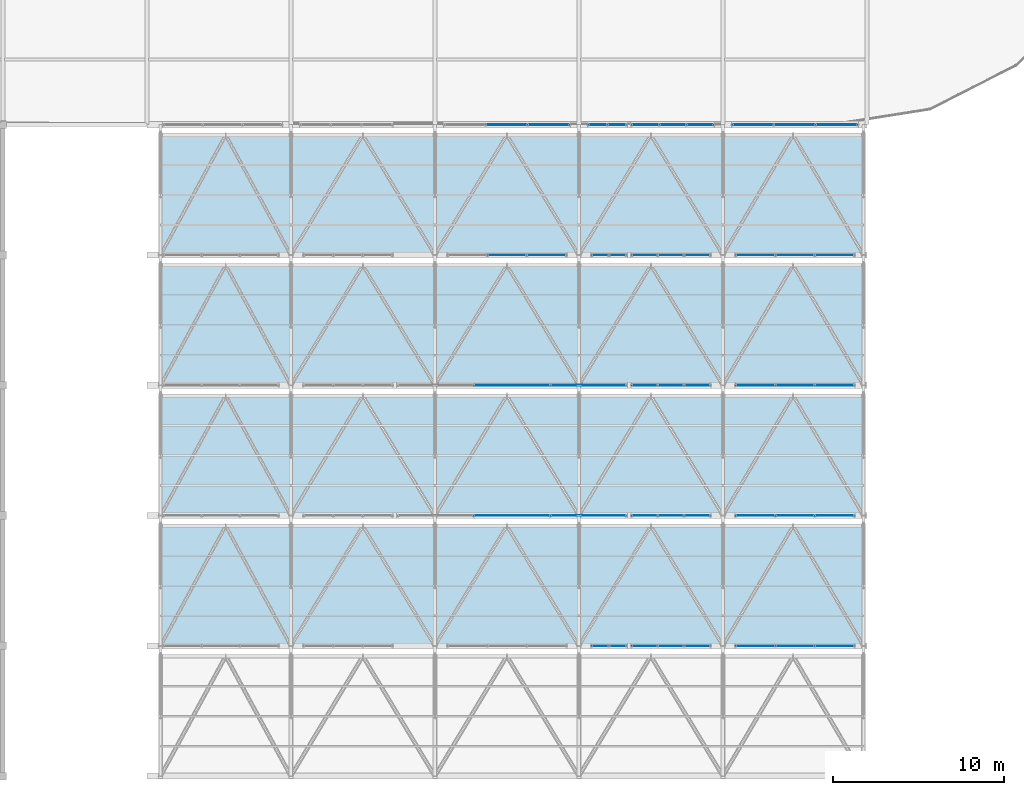
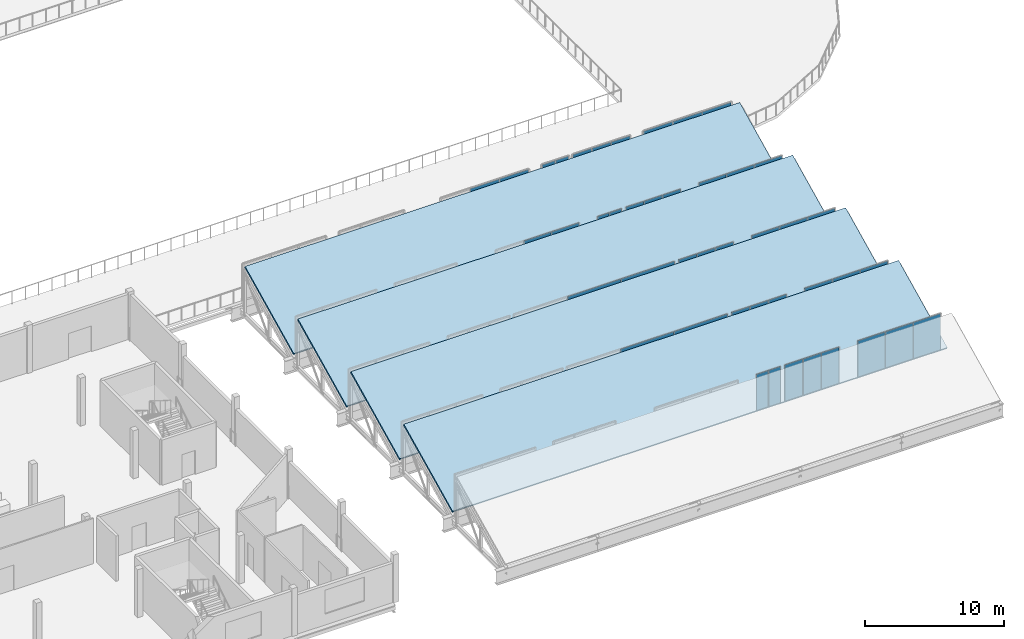
# One storey, part 41 of 57: 44 plates, 4 slabs, 17 elements without a shape of their own.
"""IFC4 building model written with IfcOpenShell, lengths in metres."""

from ifc_helpers import new_model, si_unit, direction, frame, origin, origin_2d, place, context, subcontext, project, spatial, polyline, rectangle, outline, extrude, material, layer, layer_set, type_object, element, aggregate, save


model = new_model("IFC4")

# Units and contexts
model_context = context("Model", 3, precision=1e-05, world=origin(), true_north=direction((0.0, 1.0)))
body_context = subcontext(model_context, "Body", "Model", "MODEL_VIEW")
ifc_project = project(units=[si_unit("LENGTHUNIT", "METRE"), si_unit("AREAUNIT", "SQUARE_METRE"), si_unit("VOLUMEUNIT", "CUBIC_METRE"), si_unit("PLANEANGLEUNIT", "RADIAN"), si_unit("MASSUNIT", "GRAM", prefix="KILO")], contexts=[model_context])

# Site, building, storey
site_placement = place(None, origin())
site = spatial("IfcSite", under=ifc_project, at=site_placement, CompositionType="ELEMENT")
building_placement = place(site_placement, origin())
building = spatial("IfcBuilding", under=site, at=building_placement, Name="Zuvorla Pavilion Media Centre", CompositionType="ELEMENT")
storey_placement = place(building_placement, frame((0.0, 0.0, 18.0)))
storey = spatial("IfcBuildingStorey", under=building, at=storey_placement, Name="L04", CompositionType="ELEMENT", Elevation=18.0)

# Curtain wall, plates
ifc_material_1 = material(Name="Unitised anodised aluminium and solar glass curtain wall", Category="aluminium")
curtain_wall_type_1 = type_object("IfcCurtainWallType", Name="CW-SYS-93", PredefinedType="USERDEFINED", material=ifc_material_1)
curtain_wall_1_placement = place(storey_placement, origin())
curtain_wall_1 = element("IfcCurtainWall", 1, at=curtain_wall_1_placement, inside=storey, type_object=curtain_wall_type_1, Name="L04 curtain wall CW93 227", ObjectType="CURTAIN WALL", PredefinedType="USERDEFINED")
ifc_material_2 = material(Name="Triple acoustic broadcast glazing", Category="glass")
ifc_layer_1 = layer(ifc_material_2, 0.0419921875)
ifc_layer_set_1 = layer_set([ifc_layer_1], Name="Triple acoustic broadcast glazing")
plate_type = type_object("IfcPlateType", Name="CW-PNL-42", PredefinedType="CURTAIN_PANEL", material=ifc_layer_set_1)
plate_1_placement = place(storey_placement, frame((143.651611328125, 13.60009765625, 0.0302734375), z_axis=(0.0, 0.0, 1.0), x_axis=(1.0, 0.0, 0.0)))
plate_1 = element("IfcPlate", 2, at=plate_1_placement, type_object=plate_type, Name="CW93 panel 1.1", PredefinedType="CURTAIN_PANEL", context=body_context, shape_type="SweptSolid", body=[
    extrude(rectangle(XDim=0.95458984375, YDim=0.0419921875, at=origin_2d()), origin(), (0.0, 0.0, 1.0), 3.159912109375),
])
plate_2_placement = place(storey_placement, frame((144.666015625, 13.60009765625, 0.0302734375), z_axis=(0.0, 0.0, 1.0), x_axis=(1.0, 0.0, 0.0)))
plate_2 = element("IfcPlate", 3, at=plate_2_placement, type_object=plate_type, Name="CW93 panel 2.1", PredefinedType="CURTAIN_PANEL", context=body_context, shape_type="SweptSolid", body=[
    extrude(rectangle(XDim=0.95458984375, YDim=0.0419921875, at=origin_2d()), origin(), (0.0, 0.0, 1.0), 3.159912109375),
])
aggregate(curtain_wall_1, [plate_1, plate_2])

curtain_wall_type_2 = type_object("IfcCurtainWallType", Name="CW-SYS-94", PredefinedType="USERDEFINED", material=ifc_material_1)
curtain_wall_2_placement = place(storey_placement, origin())
curtain_wall_2 = element("IfcCurtainWall", 4, at=curtain_wall_2_placement, inside=storey, type_object=curtain_wall_type_2, Name="L04 curtain wall CW94 228", ObjectType="CURTAIN WALL", PredefinedType="USERDEFINED")
plate_3_placement = place(storey_placement, frame((146.253662109375, 13.60009765625, 0.0302734375), z_axis=(0.0, 0.0, 1.0), x_axis=(1.0, 0.0, 0.0)))
plate_3 = element("IfcPlate", 5, at=plate_3_placement, type_object=plate_type, Name="CW94 panel 1.1", PredefinedType="CURTAIN_PANEL", context=body_context, shape_type="SweptSolid", body=[
    extrude(rectangle(XDim=1.460693359375, YDim=0.0419921875, at=origin_2d()), origin(), (0.0, 0.0, 1.0), 3.159912109375),
])
plate_4_placement = place(storey_placement, frame((147.7744140625, 13.60009765625, 0.0302734375), z_axis=(0.0, 0.0, 1.0), x_axis=(1.0, 0.0, 0.0)))
plate_4 = element("IfcPlate", 6, at=plate_4_placement, type_object=plate_type, Name="CW94 panel 2.1", PredefinedType="CURTAIN_PANEL", context=body_context, shape_type="SweptSolid", body=[
    extrude(rectangle(XDim=1.460693359375, YDim=0.0419921875, at=origin_2d()), origin(), (0.0, 0.0, 1.0), 3.159912109375),
])
plate_5_placement = place(storey_placement, frame((149.29541015625, 13.60009765625, 0.0302734375), z_axis=(0.0, 0.0, 1.0), x_axis=(1.0, 0.0, 0.0)))
plate_5 = element("IfcPlate", 7, at=plate_5_placement, type_object=plate_type, Name="CW94 panel 3.1", PredefinedType="CURTAIN_PANEL", context=body_context, shape_type="SweptSolid", body=[
    extrude(rectangle(XDim=1.460693359375, YDim=0.0419921875, at=origin_2d()), origin(), (0.0, 0.0, 1.0), 3.159912109375),
])
aggregate(curtain_wall_2, [plate_3, plate_4, plate_5])

curtain_wall_type_3 = type_object("IfcCurtainWallType", Name="CW-SYS-92", PredefinedType="USERDEFINED", material=ifc_material_1)
curtain_wall_3_placement = place(storey_placement, origin())
curtain_wall_3 = element("IfcCurtainWall", 8, at=curtain_wall_3_placement, inside=storey, type_object=curtain_wall_type_3, Name="L04 curtain wall CW92 229", ObjectType="CURTAIN WALL", PredefinedType="USERDEFINED")
plate_6_placement = place(storey_placement, frame((152.6962890625, 13.60009765625, 0.0302734375), z_axis=(0.0, 0.0, 1.0), x_axis=(1.0, 0.0, 0.0)))
plate_6 = element("IfcPlate", 9, at=plate_6_placement, type_object=plate_type, Name="CW92 panel 1.1", PredefinedType="CURTAIN_PANEL", context=body_context, shape_type="SweptSolid", body=[
    extrude(rectangle(XDim=2.243896484375, YDim=0.0419921875, at=origin_2d()), origin(), (0.0, 0.0, 1.0), 3.159912109375),
])
plate_7_placement = place(storey_placement, frame((155.0, 13.60009765625, 0.0302734375), z_axis=(0.0, 0.0, 1.0), x_axis=(1.0, 0.0, 0.0)))
plate_7 = element("IfcPlate", 10, at=plate_7_placement, type_object=plate_type, Name="CW92 panel 2.1", PredefinedType="CURTAIN_PANEL", context=body_context, shape_type="SweptSolid", body=[
    extrude(rectangle(XDim=2.243896484375, YDim=0.0419921875, at=origin_2d()), origin(), (0.0, 0.0, 1.0), 3.159912109375),
])
plate_8_placement = place(storey_placement, frame((157.3037109375, 13.60009765625, 0.0302734375), z_axis=(0.0, 0.0, 1.0), x_axis=(1.0, 0.0, 0.0)))
plate_8 = element("IfcPlate", 11, at=plate_8_placement, type_object=plate_type, Name="CW92 panel 3.1", PredefinedType="CURTAIN_PANEL", context=body_context, shape_type="SweptSolid", body=[
    extrude(rectangle(XDim=2.243896484375, YDim=0.0419921875, at=origin_2d()), origin(), (0.0, 0.0, 1.0), 3.159912109375),
])
aggregate(curtain_wall_3, [plate_6, plate_7, plate_8])

curtain_wall_type_4 = type_object("IfcCurtainWallType", Name="CW-SYS-95", PredefinedType="USERDEFINED", material=ifc_material_1)
curtain_wall_4_placement = place(storey_placement, origin())
curtain_wall_4 = element("IfcCurtainWall", 12, at=curtain_wall_4_placement, inside=storey, type_object=curtain_wall_type_4, Name="L04 curtain wall CW95 232", ObjectType="CURTAIN WALL", PredefinedType="USERDEFINED")
plate_9_placement = place(storey_placement, frame((138.5, 21.199951171875, 0.0302734375), z_axis=(0.0, 0.0, 1.0), x_axis=(1.0, 0.0, 0.0)))
plate_9 = element("IfcPlate", 13, at=plate_9_placement, type_object=plate_type, Name="CW95 panel 2.1", PredefinedType="CURTAIN_PANEL", context=body_context, shape_type="SweptSolid", body=[
    extrude(rectangle(XDim=4.388916015625, YDim=0.0419921875, at=origin_2d()), origin(), (0.0, 0.0, 1.0), 3.159912109375),
])
plate_10_placement = place(storey_placement, frame((142.948974609375, 21.199951171875, 0.0302734375), z_axis=(0.0, 0.0, 1.0), x_axis=(1.0, 0.0, 0.0)))
plate_10 = element("IfcPlate", 14, at=plate_10_placement, type_object=plate_type, Name="CW95 panel 3.1", PredefinedType="CURTAIN_PANEL", context=body_context, shape_type="SweptSolid", body=[
    extrude(rectangle(XDim=4.388916015625, YDim=0.0419921875, at=origin_2d()), origin(), (0.0, 0.0, 1.0), 3.159912109375),
])
aggregate(curtain_wall_4, [plate_9, plate_10])

curtain_wall_5_placement = place(storey_placement, origin())
curtain_wall_5 = element("IfcCurtainWall", 15, at=curtain_wall_5_placement, inside=storey, type_object=curtain_wall_type_2, Name="L04 curtain wall CW94 233", ObjectType="CURTAIN WALL", PredefinedType="USERDEFINED")
plate_11_placement = place(storey_placement, frame((146.253662109375, 21.199951171875, 0.0302734375), z_axis=(0.0, 0.0, 1.0), x_axis=(1.0, 0.0, 0.0)))
plate_11 = element("IfcPlate", 16, at=plate_11_placement, type_object=plate_type, Name="CW94 panel 1.1", PredefinedType="CURTAIN_PANEL", context=body_context, shape_type="SweptSolid", body=[
    extrude(rectangle(XDim=1.460693359375, YDim=0.0419921875, at=origin_2d()), origin(), (0.0, 0.0, 1.0), 3.159912109375),
])
plate_12_placement = place(storey_placement, frame((147.7744140625, 21.199951171875, 0.0302734375), z_axis=(0.0, 0.0, 1.0), x_axis=(1.0, 0.0, 0.0)))
plate_12 = element("IfcPlate", 17, at=plate_12_placement, type_object=plate_type, Name="CW94 panel 2.1", PredefinedType="CURTAIN_PANEL", context=body_context, shape_type="SweptSolid", body=[
    extrude(rectangle(XDim=1.460693359375, YDim=0.0419921875, at=origin_2d()), origin(), (0.0, 0.0, 1.0), 3.159912109375),
])
plate_13_placement = place(storey_placement, frame((149.29541015625, 21.199951171875, 0.0302734375), z_axis=(0.0, 0.0, 1.0), x_axis=(1.0, 0.0, 0.0)))
plate_13 = element("IfcPlate", 18, at=plate_13_placement, type_object=plate_type, Name="CW94 panel 3.1", PredefinedType="CURTAIN_PANEL", context=body_context, shape_type="SweptSolid", body=[
    extrude(rectangle(XDim=1.460693359375, YDim=0.0419921875, at=origin_2d()), origin(), (0.0, 0.0, 1.0), 3.159912109375),
])
aggregate(curtain_wall_5, [plate_11, plate_12, plate_13])

curtain_wall_6_placement = place(storey_placement, origin())
curtain_wall_6 = element("IfcCurtainWall", 19, at=curtain_wall_6_placement, inside=storey, type_object=curtain_wall_type_3, Name="L04 curtain wall CW92 234", ObjectType="CURTAIN WALL", PredefinedType="USERDEFINED")
plate_14_placement = place(storey_placement, frame((152.6962890625, 21.199951171875, 0.0302734375), z_axis=(0.0, 0.0, 1.0), x_axis=(1.0, 0.0, 0.0)))
plate_14 = element("IfcPlate", 20, at=plate_14_placement, type_object=plate_type, Name="CW92 panel 1.1", PredefinedType="CURTAIN_PANEL", context=body_context, shape_type="SweptSolid", body=[
    extrude(rectangle(XDim=2.243896484375, YDim=0.0419921875, at=origin_2d()), origin(), (0.0, 0.0, 1.0), 3.159912109375),
])
plate_15_placement = place(storey_placement, frame((155.0, 21.199951171875, 0.0302734375), z_axis=(0.0, 0.0, 1.0), x_axis=(1.0, 0.0, 0.0)))
plate_15 = element("IfcPlate", 21, at=plate_15_placement, type_object=plate_type, Name="CW92 panel 2.1", PredefinedType="CURTAIN_PANEL", context=body_context, shape_type="SweptSolid", body=[
    extrude(rectangle(XDim=2.243896484375, YDim=0.0419921875, at=origin_2d()), origin(), (0.0, 0.0, 1.0), 3.159912109375),
])
plate_16_placement = place(storey_placement, frame((157.3037109375, 21.199951171875, 0.0302734375), z_axis=(0.0, 0.0, 1.0), x_axis=(1.0, 0.0, 0.0)))
plate_16 = element("IfcPlate", 22, at=plate_16_placement, type_object=plate_type, Name="CW92 panel 3.1", PredefinedType="CURTAIN_PANEL", context=body_context, shape_type="SweptSolid", body=[
    extrude(rectangle(XDim=2.243896484375, YDim=0.0419921875, at=origin_2d()), origin(), (0.0, 0.0, 1.0), 3.159912109375),
])
aggregate(curtain_wall_6, [plate_14, plate_15, plate_16])

curtain_wall_7_placement = place(storey_placement, origin())
curtain_wall_7 = element("IfcCurtainWall", 23, at=curtain_wall_7_placement, inside=storey, type_object=curtain_wall_type_4, Name="L04 curtain wall CW95 237", ObjectType="CURTAIN WALL", PredefinedType="USERDEFINED")
plate_17_placement = place(storey_placement, frame((138.5, 28.800048828125, 0.0302734375), z_axis=(0.0, 0.0, 1.0), x_axis=(1.0, 0.0, 0.0)))
plate_17 = element("IfcPlate", 24, at=plate_17_placement, type_object=plate_type, Name="CW95 panel 2.1", PredefinedType="CURTAIN_PANEL", context=body_context, shape_type="SweptSolid", body=[
    extrude(rectangle(XDim=4.388916015625, YDim=0.0419921875, at=origin_2d()), origin(), (0.0, 0.0, 1.0), 3.159912109375),
])
plate_18_placement = place(storey_placement, frame((142.948974609375, 28.800048828125, 0.0302734375), z_axis=(0.0, 0.0, 1.0), x_axis=(1.0, 0.0, 0.0)))
plate_18 = element("IfcPlate", 25, at=plate_18_placement, type_object=plate_type, Name="CW95 panel 3.1", PredefinedType="CURTAIN_PANEL", context=body_context, shape_type="SweptSolid", body=[
    extrude(rectangle(XDim=4.388916015625, YDim=0.0419921875, at=origin_2d()), origin(), (0.0, 0.0, 1.0), 3.159912109375),
])
aggregate(curtain_wall_7, [plate_17, plate_18])

curtain_wall_8_placement = place(storey_placement, origin())
curtain_wall_8 = element("IfcCurtainWall", 26, at=curtain_wall_8_placement, inside=storey, type_object=curtain_wall_type_2, Name="L04 curtain wall CW94 238", ObjectType="CURTAIN WALL", PredefinedType="USERDEFINED")
plate_19_placement = place(storey_placement, frame((146.253662109375, 28.800048828125, 0.0302734375), z_axis=(0.0, 0.0, 1.0), x_axis=(1.0, 0.0, 0.0)))
plate_19 = element("IfcPlate", 27, at=plate_19_placement, type_object=plate_type, Name="CW94 panel 1.1", PredefinedType="CURTAIN_PANEL", context=body_context, shape_type="SweptSolid", body=[
    extrude(rectangle(XDim=1.460693359375, YDim=0.0419921875, at=origin_2d()), origin(), (0.0, 0.0, 1.0), 3.159912109375),
])
plate_20_placement = place(storey_placement, frame((147.7744140625, 28.800048828125, 0.0302734375), z_axis=(0.0, 0.0, 1.0), x_axis=(1.0, 0.0, 0.0)))
plate_20 = element("IfcPlate", 28, at=plate_20_placement, type_object=plate_type, Name="CW94 panel 2.1", PredefinedType="CURTAIN_PANEL", context=body_context, shape_type="SweptSolid", body=[
    extrude(rectangle(XDim=1.460693359375, YDim=0.0419921875, at=origin_2d()), origin(), (0.0, 0.0, 1.0), 3.159912109375),
])
plate_21_placement = place(storey_placement, frame((149.29541015625, 28.800048828125, 0.0302734375), z_axis=(0.0, 0.0, 1.0), x_axis=(1.0, 0.0, 0.0)))
plate_21 = element("IfcPlate", 29, at=plate_21_placement, type_object=plate_type, Name="CW94 panel 3.1", PredefinedType="CURTAIN_PANEL", context=body_context, shape_type="SweptSolid", body=[
    extrude(rectangle(XDim=1.460693359375, YDim=0.0419921875, at=origin_2d()), origin(), (0.0, 0.0, 1.0), 3.159912109375),
])
aggregate(curtain_wall_8, [plate_19, plate_20, plate_21])

curtain_wall_9_placement = place(storey_placement, origin())
curtain_wall_9 = element("IfcCurtainWall", 30, at=curtain_wall_9_placement, inside=storey, type_object=curtain_wall_type_3, Name="L04 curtain wall CW92 239", ObjectType="CURTAIN WALL", PredefinedType="USERDEFINED")
plate_22_placement = place(storey_placement, frame((152.6962890625, 28.800048828125, 0.0302734375), z_axis=(0.0, 0.0, 1.0), x_axis=(1.0, 0.0, 0.0)))
plate_22 = element("IfcPlate", 31, at=plate_22_placement, type_object=plate_type, Name="CW92 panel 1.1", PredefinedType="CURTAIN_PANEL", context=body_context, shape_type="SweptSolid", body=[
    extrude(rectangle(XDim=2.243896484375, YDim=0.0419921875, at=origin_2d()), origin(), (0.0, 0.0, 1.0), 3.159912109375),
])
plate_23_placement = place(storey_placement, frame((155.0, 28.800048828125, 0.0302734375), z_axis=(0.0, 0.0, 1.0), x_axis=(1.0, 0.0, 0.0)))
plate_23 = element("IfcPlate", 32, at=plate_23_placement, type_object=plate_type, Name="CW92 panel 2.1", PredefinedType="CURTAIN_PANEL", context=body_context, shape_type="SweptSolid", body=[
    extrude(rectangle(XDim=2.243896484375, YDim=0.0419921875, at=origin_2d()), origin(), (0.0, 0.0, 1.0), 3.159912109375),
])
plate_24_placement = place(storey_placement, frame((157.3037109375, 28.800048828125, 0.0302734375), z_axis=(0.0, 0.0, 1.0), x_axis=(1.0, 0.0, 0.0)))
plate_24 = element("IfcPlate", 33, at=plate_24_placement, type_object=plate_type, Name="CW92 panel 3.1", PredefinedType="CURTAIN_PANEL", context=body_context, shape_type="SweptSolid", body=[
    extrude(rectangle(XDim=2.243896484375, YDim=0.0419921875, at=origin_2d()), origin(), (0.0, 0.0, 1.0), 3.159912109375),
])
aggregate(curtain_wall_9, [plate_22, plate_23, plate_24])

curtain_wall_10_placement = place(storey_placement, origin())
curtain_wall_10 = element("IfcCurtainWall", 34, at=curtain_wall_10_placement, inside=storey, type_object=curtain_wall_type_3, Name="L04 curtain wall CW92 242", ObjectType="CURTAIN WALL", PredefinedType="USERDEFINED")
plate_25_placement = place(storey_placement, frame((138.199951171875, 36.39990234375, 0.0302734375), z_axis=(0.0, 0.0, 1.0), x_axis=(1.0, 0.0, 0.0)))
plate_25 = element("IfcPlate", 35, at=plate_25_placement, type_object=plate_type, Name="CW92 panel 2.1", PredefinedType="CURTAIN_PANEL", context=body_context, shape_type="SweptSolid", body=[
    extrude(rectangle(XDim=2.243896484375, YDim=0.0419921875, at=origin_2d()), origin(), (0.0, 0.0, 1.0), 3.159912109375),
])
plate_26_placement = place(storey_placement, frame((140.50390625, 36.39990234375, 0.0302734375), z_axis=(0.0, 0.0, 1.0), x_axis=(1.0, 0.0, 0.0)))
plate_26 = element("IfcPlate", 36, at=plate_26_placement, type_object=plate_type, Name="CW92 panel 3.1", PredefinedType="CURTAIN_PANEL", context=body_context, shape_type="SweptSolid", body=[
    extrude(rectangle(XDim=2.243896484375, YDim=0.0419921875, at=origin_2d()), origin(), (0.0, 0.0, 1.0), 3.159912109375),
])
aggregate(curtain_wall_10, [plate_25, plate_26])

curtain_wall_11_placement = place(storey_placement, origin())
curtain_wall_11 = element("IfcCurtainWall", 37, at=curtain_wall_11_placement, inside=storey, type_object=curtain_wall_type_1, Name="L04 curtain wall CW93 243", ObjectType="CURTAIN WALL", PredefinedType="USERDEFINED")
plate_27_placement = place(storey_placement, frame((143.651611328125, 36.39990234375, 0.0302734375), z_axis=(0.0, 0.0, 1.0), x_axis=(1.0, 0.0, 0.0)))
plate_27 = element("IfcPlate", 38, at=plate_27_placement, type_object=plate_type, Name="CW93 panel 1.1", PredefinedType="CURTAIN_PANEL", context=body_context, shape_type="SweptSolid", body=[
    extrude(rectangle(XDim=0.95458984375, YDim=0.0419921875, at=origin_2d()), origin(), (0.0, 0.0, 1.0), 3.159912109375),
])
plate_28_placement = place(storey_placement, frame((144.666015625, 36.39990234375, 0.0302734375), z_axis=(0.0, 0.0, 1.0), x_axis=(1.0, 0.0, 0.0)))
plate_28 = element("IfcPlate", 39, at=plate_28_placement, type_object=plate_type, Name="CW93 panel 2.1", PredefinedType="CURTAIN_PANEL", context=body_context, shape_type="SweptSolid", body=[
    extrude(rectangle(XDim=0.95458984375, YDim=0.0419921875, at=origin_2d()), origin(), (0.0, 0.0, 1.0), 3.159912109375),
])
aggregate(curtain_wall_11, [plate_27, plate_28])

curtain_wall_12_placement = place(storey_placement, origin())
curtain_wall_12 = element("IfcCurtainWall", 40, at=curtain_wall_12_placement, inside=storey, type_object=curtain_wall_type_2, Name="L04 curtain wall CW94 244", ObjectType="CURTAIN WALL", PredefinedType="USERDEFINED")
plate_29_placement = place(storey_placement, frame((146.253662109375, 36.39990234375, 0.0302734375), z_axis=(0.0, 0.0, 1.0), x_axis=(1.0, 0.0, 0.0)))
plate_29 = element("IfcPlate", 41, at=plate_29_placement, type_object=plate_type, Name="CW94 panel 1.1", PredefinedType="CURTAIN_PANEL", context=body_context, shape_type="SweptSolid", body=[
    extrude(rectangle(XDim=1.460693359375, YDim=0.0419921875, at=origin_2d()), origin(), (0.0, 0.0, 1.0), 3.159912109375),
])
plate_30_placement = place(storey_placement, frame((147.7744140625, 36.39990234375, 0.0302734375), z_axis=(0.0, 0.0, 1.0), x_axis=(1.0, 0.0, 0.0)))
plate_30 = element("IfcPlate", 42, at=plate_30_placement, type_object=plate_type, Name="CW94 panel 2.1", PredefinedType="CURTAIN_PANEL", context=body_context, shape_type="SweptSolid", body=[
    extrude(rectangle(XDim=1.460693359375, YDim=0.0419921875, at=origin_2d()), origin(), (0.0, 0.0, 1.0), 3.159912109375),
])
plate_31_placement = place(storey_placement, frame((149.29541015625, 36.39990234375, 0.0302734375), z_axis=(0.0, 0.0, 1.0), x_axis=(1.0, 0.0, 0.0)))
plate_31 = element("IfcPlate", 43, at=plate_31_placement, type_object=plate_type, Name="CW94 panel 3.1", PredefinedType="CURTAIN_PANEL", context=body_context, shape_type="SweptSolid", body=[
    extrude(rectangle(XDim=1.460693359375, YDim=0.0419921875, at=origin_2d()), origin(), (0.0, 0.0, 1.0), 3.159912109375),
])
aggregate(curtain_wall_12, [plate_29, plate_30, plate_31])

curtain_wall_13_placement = place(storey_placement, origin())
curtain_wall_13 = element("IfcCurtainWall", 44, at=curtain_wall_13_placement, inside=storey, type_object=curtain_wall_type_3, Name="L04 curtain wall CW92 245", ObjectType="CURTAIN WALL", PredefinedType="USERDEFINED")
plate_32_placement = place(storey_placement, frame((152.6962890625, 36.39990234375, 0.0302734375), z_axis=(0.0, 0.0, 1.0), x_axis=(1.0, 0.0, 0.0)))
plate_32 = element("IfcPlate", 45, at=plate_32_placement, type_object=plate_type, Name="CW92 panel 1.1", PredefinedType="CURTAIN_PANEL", context=body_context, shape_type="SweptSolid", body=[
    extrude(rectangle(XDim=2.243896484375, YDim=0.0419921875, at=origin_2d()), origin(), (0.0, 0.0, 1.0), 3.159912109375),
])
plate_33_placement = place(storey_placement, frame((155.0, 36.39990234375, 0.0302734375), z_axis=(0.0, 0.0, 1.0), x_axis=(1.0, 0.0, 0.0)))
plate_33 = element("IfcPlate", 46, at=plate_33_placement, type_object=plate_type, Name="CW92 panel 2.1", PredefinedType="CURTAIN_PANEL", context=body_context, shape_type="SweptSolid", body=[
    extrude(rectangle(XDim=2.243896484375, YDim=0.0419921875, at=origin_2d()), origin(), (0.0, 0.0, 1.0), 3.159912109375),
])
plate_34_placement = place(storey_placement, frame((157.3037109375, 36.39990234375, 0.0302734375), z_axis=(0.0, 0.0, 1.0), x_axis=(1.0, 0.0, 0.0)))
plate_34 = element("IfcPlate", 47, at=plate_34_placement, type_object=plate_type, Name="CW92 panel 3.1", PredefinedType="CURTAIN_PANEL", context=body_context, shape_type="SweptSolid", body=[
    extrude(rectangle(XDim=2.243896484375, YDim=0.0419921875, at=origin_2d()), origin(), (0.0, 0.0, 1.0), 3.159912109375),
])
aggregate(curtain_wall_13, [plate_32, plate_33, plate_34])

curtain_wall_type_5 = type_object("IfcCurtainWallType", Name="CW-SYS-97", PredefinedType="USERDEFINED", material=ifc_material_1)
curtain_wall_14_placement = place(storey_placement, origin())
curtain_wall_14 = element("IfcCurtainWall", 48, at=curtain_wall_14_placement, inside=storey, type_object=curtain_wall_type_5, Name="L04 curtain wall CW97 248", ObjectType="CURTAIN WALL", PredefinedType="USERDEFINED")
plate_35_placement = place(storey_placement, frame((138.199951171875, 44.0, 0.0302734375), z_axis=(0.0, 0.0, 1.0), x_axis=(1.0, 0.0, 0.0)))
plate_35 = element("IfcPlate", 49, at=plate_35_placement, type_object=plate_type, Name="CW97 panel 2.1", PredefinedType="CURTAIN_PANEL", context=body_context, shape_type="SweptSolid", body=[
    extrude(rectangle(XDim=2.378173828125, YDim=0.0419921875, at=origin_2d()), origin(), (0.0, 0.0, 1.0), 3.159912109375),
])
plate_36_placement = place(storey_placement, frame((140.63818359375, 44.0, 0.0302734375), z_axis=(0.0, 0.0, 1.0), x_axis=(1.0, 0.0, 0.0)))
plate_36 = element("IfcPlate", 50, at=plate_36_placement, type_object=plate_type, Name="CW97 panel 3.1", PredefinedType="CURTAIN_PANEL", context=body_context, shape_type="SweptSolid", body=[
    extrude(rectangle(XDim=2.378173828125, YDim=0.0419921875, at=origin_2d()), origin(), (0.0, 0.0, 1.0), 3.159912109375),
])
aggregate(curtain_wall_14, [plate_35, plate_36])

curtain_wall_type_6 = type_object("IfcCurtainWallType", Name="CW-SYS-98", PredefinedType="USERDEFINED", material=ifc_material_1)
curtain_wall_15_placement = place(storey_placement, origin())
curtain_wall_15 = element("IfcCurtainWall", 51, at=curtain_wall_15_placement, inside=storey, type_object=curtain_wall_type_6, Name="L04 curtain wall CW98 249", ObjectType="CURTAIN WALL", PredefinedType="USERDEFINED")
plate_37_placement = place(storey_placement, frame((143.500244140625, 44.0, 0.0302734375), z_axis=(0.0, 0.0, 1.0), x_axis=(1.0, 0.0, 0.0)))
plate_37 = element("IfcPlate", 52, at=plate_37_placement, type_object=plate_type, Name="CW98 panel 1.1", PredefinedType="CURTAIN_PANEL", context=body_context, shape_type="SweptSolid", body=[
    extrude(rectangle(XDim=1.055419921875, YDim=0.0419921875, at=origin_2d()), origin(), (0.0, 0.0, 1.0), 3.159912109375),
])
plate_38_placement = place(storey_placement, frame((144.61572265625, 44.0, 0.0302734375), z_axis=(0.0, 0.0, 1.0), x_axis=(1.0, 0.0, 0.0)))
plate_38 = element("IfcPlate", 53, at=plate_38_placement, type_object=plate_type, Name="CW98 panel 2.1", PredefinedType="CURTAIN_PANEL", context=body_context, shape_type="SweptSolid", body=[
    extrude(rectangle(XDim=1.055419921875, YDim=0.0419921875, at=origin_2d()), origin(), (0.0, 0.0, 1.0), 3.159912109375),
])
aggregate(curtain_wall_15, [plate_37, plate_38])

curtain_wall_type_7 = type_object("IfcCurtainWallType", Name="CW-SYS-99", PredefinedType="USERDEFINED", material=ifc_material_1)
curtain_wall_16_placement = place(storey_placement, origin())
curtain_wall_16 = element("IfcCurtainWall", 54, at=curtain_wall_16_placement, inside=storey, type_object=curtain_wall_type_7, Name="L04 curtain wall CW99 250", ObjectType="CURTAIN WALL", PredefinedType="USERDEFINED")
plate_39_placement = place(storey_placement, frame((146.287353515625, 44.0, 0.0302734375), z_axis=(0.0, 0.0, 1.0), x_axis=(1.0, 0.0, 0.0)))
plate_39 = element("IfcPlate", 55, at=plate_39_placement, type_object=plate_type, Name="CW99 panel 1.1", PredefinedType="CURTAIN_PANEL", context=body_context, shape_type="SweptSolid", body=[
    extrude(rectangle(XDim=1.528076171875, YDim=0.0419921875, at=origin_2d()), origin(), (0.0, 0.0, 1.0), 3.159912109375),
])
plate_40_placement = place(storey_placement, frame((147.875244140625, 44.0, 0.0302734375), z_axis=(0.0, 0.0, 1.0), x_axis=(1.0, 0.0, 0.0)))
plate_40 = element("IfcPlate", 56, at=plate_40_placement, type_object=plate_type, Name="CW99 panel 2.1", PredefinedType="CURTAIN_PANEL", context=body_context, shape_type="SweptSolid", body=[
    extrude(rectangle(XDim=1.528076171875, YDim=0.0419921875, at=origin_2d()), origin(), (0.0, 0.0, 1.0), 3.159912109375),
])
plate_41_placement = place(storey_placement, frame((149.46337890625, 44.0, 0.0302734375), z_axis=(0.0, 0.0, 1.0), x_axis=(1.0, 0.0, 0.0)))
plate_41 = element("IfcPlate", 57, at=plate_41_placement, type_object=plate_type, Name="CW99 panel 3.1", PredefinedType="CURTAIN_PANEL", context=body_context, shape_type="SweptSolid", body=[
    extrude(rectangle(XDim=1.528076171875, YDim=0.0419921875, at=origin_2d()), origin(), (0.0, 0.0, 1.0), 3.159912109375),
])
aggregate(curtain_wall_16, [plate_39, plate_40, plate_41])

curtain_wall_17_placement = place(storey_placement, origin())
curtain_wall_17 = element("IfcCurtainWall", 58, at=curtain_wall_17_placement, inside=storey, type_object=curtain_wall_type_5, Name="L04 curtain wall CW97 251", ObjectType="CURTAIN WALL", PredefinedType="USERDEFINED")
plate_42_placement = place(storey_placement, frame((152.561767578125, 44.0, 0.0302734375), z_axis=(0.0, 0.0, 1.0), x_axis=(1.0, 0.0, 0.0)))
plate_42 = element("IfcPlate", 59, at=plate_42_placement, type_object=plate_type, Name="CW97 panel 1.1", PredefinedType="CURTAIN_PANEL", context=body_context, shape_type="SweptSolid", body=[
    extrude(rectangle(XDim=2.378173828125, YDim=0.0419921875, at=origin_2d()), origin(), (0.0, 0.0, 1.0), 3.159912109375),
])
plate_43_placement = place(storey_placement, frame((155.0, 44.0, 0.0302734375), z_axis=(0.0, 0.0, 1.0), x_axis=(1.0, 0.0, 0.0)))
plate_43 = element("IfcPlate", 60, at=plate_43_placement, type_object=plate_type, Name="CW97 panel 2.1", PredefinedType="CURTAIN_PANEL", context=body_context, shape_type="SweptSolid", body=[
    extrude(rectangle(XDim=2.378173828125, YDim=0.0419921875, at=origin_2d()), origin(), (0.0, 0.0, 1.0), 3.159912109375),
])
plate_44_placement = place(storey_placement, frame((157.438232421875, 44.0, 0.0302734375), z_axis=(0.0, 0.0, 1.0), x_axis=(1.0, 0.0, 0.0)))
plate_44 = element("IfcPlate", 61, at=plate_44_placement, type_object=plate_type, Name="CW97 panel 3.1", PredefinedType="CURTAIN_PANEL", context=body_context, shape_type="SweptSolid", body=[
    extrude(rectangle(XDim=2.378173828125, YDim=0.0419921875, at=origin_2d()), origin(), (0.0, 0.0, 1.0), 3.159912109375),
])
aggregate(curtain_wall_17, [plate_42, plate_43, plate_44])

# Slabs
ifc_material_3 = material(Name="Concrete C32/40", Category="concrete")
ifc_layer_2 = layer(ifc_material_3, 0.159912109375)
ifc_layer_set_2 = layer_set([ifc_layer_2], Name="Concrete C32/40")
slab_type = type_object("IfcSlabType", Name="SLB-ROOF-160", PredefinedType="ROOF", material=ifc_layer_set_2)
for number, where, z_axis, x_axis, name in (
    (62, (118.0, 13.60009765625, 0.0), (0.0, -0.436893809117, 0.899513090263), (1.0, 0.0, 0.0), "L04 sawtooth roof slab PRM bay 2"),
    (63, (118.0, 21.199951171875, 0.0), (0.0, -0.436893809117, 0.899513090263), (1.0, 0.0, 0.0), "L04 sawtooth roof slab PRM bay 3"),
    (64, (118.0, 28.800048828125, 0.0), (0.0, -0.436893809117, 0.899513090263), (1.0, 0.0, 0.0), "L04 sawtooth roof slab PRM bay 4"),
    (65, (118.0, 36.39990234375, 0.0), (0.0, -0.436893809117, 0.899513090263), (1.0, 0.0, 0.0), "L04 sawtooth roof slab PRM bay 5"),
):
    element("IfcSlab", number, at=place(storey_placement, frame(where, z_axis=z_axis, x_axis=x_axis)), inside=storey, type_object=slab_type, Name=name, PredefinedType="ROOF", context=body_context, shape_type="SweptSolid", body=[
        extrude(outline(polyline([(0.0, 0.0), (41.0, 0.0), (41.0, 7.781987917430658), (0.0, 7.781987917430658), (0.0, 0.0)])), origin(), (0.0, 0.0, -1.0), 0.159912109375),
    ])

save(model, "model.ifc")
